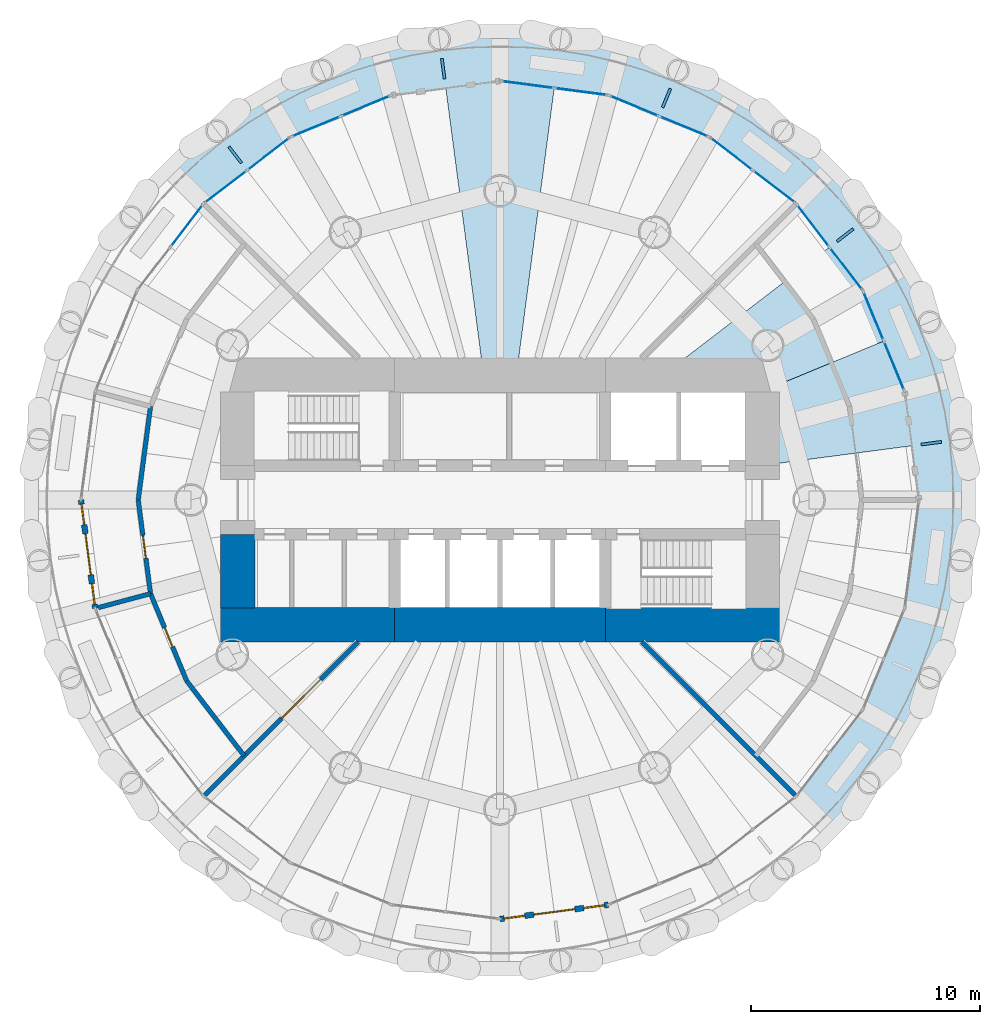
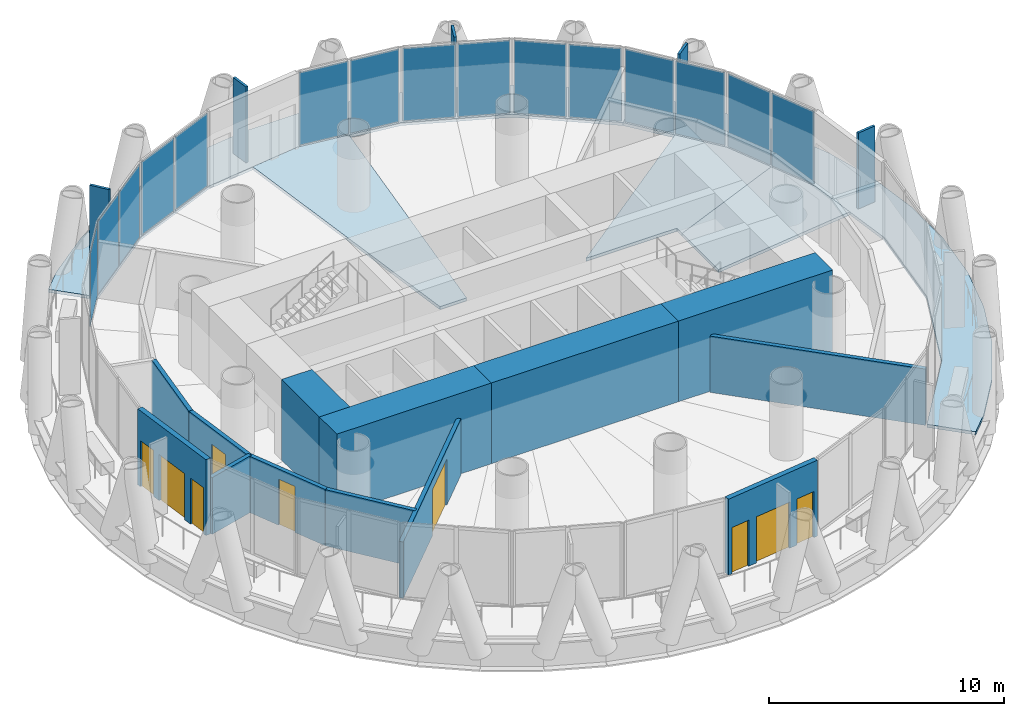
# One storey, part 8 of 13: 20 plates, 13 walls, 5 doors, 5 slabs, 4 windows, 9 openings, 8 elements without a shape of their own.
"""IFC4 building model written with IfcOpenShell, lengths in metres."""

from ifc_helpers import new_model, si_unit, direction, frame, frame_2d, origin, origin_2d, place, context, subcontext, project, spatial, polyline, rectangle, outline, extrude, material, layer, layer_set, type_object, element, fill, aggregate, save


model = new_model("IFC4")

# Units and contexts
model_context = context("Model", 3, precision=1e-05, world=origin(), true_north=direction((0.0, 1.0)))
body_context = subcontext(model_context, "Body", "Model", "MODEL_VIEW")
ifc_project = project(units=[si_unit("LENGTHUNIT", "METRE"), si_unit("AREAUNIT", "SQUARE_METRE"), si_unit("VOLUMEUNIT", "CUBIC_METRE"), si_unit("PLANEANGLEUNIT", "RADIAN"), si_unit("MASSUNIT", "GRAM", prefix="KILO")], contexts=[model_context])

# Site, building, storey
site_placement = place(None, origin())
site = spatial("IfcSite", under=ifc_project, at=site_placement, CompositionType="ELEMENT")
building_placement = place(site_placement, origin())
building = spatial("IfcBuilding", under=site, at=building_placement, Name="Qaws Media Tower", CompositionType="ELEMENT")
storey_placement = place(building_placement, frame((0.0, 0.0, 282.199951171875)))
storey = spatial("IfcBuildingStorey", under=building, at=storey_placement, Name="L65", CompositionType="ELEMENT", Elevation=282.199951171875)

# Slabs
ifc_material_1 = material(Name="Concrete C35/45", Category="concrete")
ifc_layer_1 = layer(ifc_material_1, 0.159912109375)
ifc_layer_set_1 = layer_set([ifc_layer_1], Name="Composite balcony slab 160")
slab_type_1 = type_object("IfcSlabType", Name="Composite balcony slab 160", PredefinedType="FLOOR", material=ifc_layer_set_1)
slab_1_placement = place(storey_placement, frame((0.0, 0.0, -0.159912109375)))
element("IfcSlab", 1, at=slab_1_placement, inside=storey, type_object=slab_type_1, Name="S2 balcony slab L65 R04 to R10, movement joints on R04 and R10", PredefinedType="FLOOR", context=body_context, shape_type="SweptSolid", body=[
    extrude(outline(polyline([(46.4833984375, 65.41259765625), (48.61083984375, 67.045166015625), (50.93310546875, 68.385986328125), (53.410400390625, 69.412109375), (56.00048828125, 70.106201171875), (58.6591796875, 70.4560546875), (61.3408203125, 70.4560546875), (63.99951171875, 70.106201171875), (66.589599609375, 69.412109375), (69.06689453125, 68.385986328125), (71.38916015625, 67.045166015625), (73.5166015625, 65.41259765625), (74.464599609375, 64.464599609375), (72.940185546875, 62.940185546875), (69.14990234375, 65.848388671875), (64.736328125, 67.676513671875), (60.0, 68.300048828125), (55.263671875, 67.676513671875), (50.85009765625, 65.848388671875), (47.059814453125, 62.940185546875), (45.535400390625, 64.464599609375), (46.4833984375, 65.41259765625)])), origin(), (0.0, 0.0, 1.0), 0.159912109375),
])
slab_2_placement = place(storey_placement, frame((0.0, 0.0, -0.159912109375)))
element("IfcSlab", 2, at=slab_2_placement, inside=storey, type_object=slab_type_1, Name="S2 balcony slab L65 R22 to R04, movement joints on R22 and R04", PredefinedType="FLOOR", context=body_context, shape_type="SweptSolid", body=[
    extrude(outline(polyline([(80.106201171875, 46.00048828125), (79.412109375, 43.410400390625), (78.385986328125, 40.93310546875), (77.045166015625, 38.61083984375), (75.41259765625, 36.4833984375), (74.464599609375, 35.535400390625), (72.940185546875, 37.059814453125), (75.848388671875, 40.85009765625), (77.676513671875, 45.263671875), (78.300048828125, 50.0), (77.676513671875, 54.736328125), (75.848388671875, 59.14990234375), (72.940185546875, 62.940185546875), (74.464599609375, 64.464599609375), (75.41259765625, 63.5166015625), (77.045166015625, 61.38916015625), (78.385986328125, 59.06689453125), (79.412109375, 56.589599609375), (80.106201171875, 53.99951171875), (80.4560546875, 51.3408203125), (80.4560546875, 48.6591796875), (80.106201171875, 46.00048828125)])), origin(), (0.0, 0.0, 1.0), 0.159912109375),
])
ifc_material_2 = material(Name="Concrete C35/45", Category="concrete")
ifc_layer_2 = layer(ifc_material_2, 0.159912109375)
ifc_layer_set_2 = layer_set([ifc_layer_2], Name="Composite floor slab 160")
slab_type_2 = type_object("IfcSlabType", Name="Composite floor slab 160", PredefinedType="FLOOR", material=ifc_layer_set_2)
slab_3_placement = place(storey_placement, frame((0.0, 0.0, -0.159912109375)))
element("IfcSlab", 3, at=slab_3_placement, inside=storey, type_object=slab_type_2, Name="S1 floor panel L65 on R02", PredefinedType="FLOOR", context=body_context, shape_type="SweptSolid", body=[
    extrude(outline(polyline([(77.676513671875, 54.736328125), (77.98828125, 52.3681640625), (71.0, 51.4482421875), (71.0, 54.556396484375), (76.762451171875, 56.943115234375), (77.676513671875, 54.736328125)])), origin(), (0.0, 0.0, 1.0), 0.159912109375),
])
slab_4_placement = place(storey_placement, frame((0.0, 0.0, -0.159912109375)))
element("IfcSlab", 4, at=slab_4_placement, inside=storey, type_object=slab_type_2, Name="S1 floor panel L65 on R03", PredefinedType="FLOOR", context=body_context, shape_type="SweptSolid", body=[
    extrude(outline(polyline([(75.848388671875, 59.14990234375), (76.762451171875, 56.943115234375), (71.0, 54.556396484375), (71.0, 55.0), (66.51611328125, 55.0), (74.394287109375, 61.044921875), (75.848388671875, 59.14990234375)])), origin(), (0.0, 0.0, 1.0), 0.159912109375),
])
slab_5_placement = place(storey_placement, frame((0.0, 0.0, -0.159912109375)))
element("IfcSlab", 5, at=slab_5_placement, inside=storey, type_object=slab_type_2, Name="S1 floor panel L65 on R07", PredefinedType="FLOOR", context=body_context, shape_type="SweptSolid", body=[
    extrude(outline(polyline([(60.0, 68.300048828125), (62.3681640625, 67.98828125), (60.658203125, 55.0), (59.341796875, 55.0), (57.6318359375, 67.98828125), (60.0, 68.300048828125)])), origin(), (0.0, 0.0, 1.0), 0.159912109375),
])

# Curtain wall, plates
ifc_material_3 = material(Name="Aluminium and clear glass", Category="aluminium")
curtain_wall_type = type_object("IfcCurtainWallType", Name="Unitised curtain wall CW-D", PredefinedType="NOTDEFINED", material=ifc_material_3)
curtain_wall_1_placement = place(storey_placement, origin())
curtain_wall_1 = element("IfcCurtainWall", 6, at=curtain_wall_1_placement, inside=storey, type_object=curtain_wall_type, Name="CWD curtain wall L65-02", PredefinedType="NOTDEFINED")
ifc_material_4 = material(Name="Clear laminated double glazing", Category="glass")
ifc_layer_3 = layer(ifc_material_4, 0.031982421875)
ifc_layer_set_3 = layer_set([ifc_layer_3], Name="Curtain wall glass unit 32")
plate_type_1 = type_object("IfcPlateType", Name="Curtain wall glass unit 32", PredefinedType="CURTAIN_PANEL", material=ifc_layer_set_3)
plate_1_placement = place(storey_placement, frame((77.211669921875, 55.858154296875, 0.080078125), z_axis=(0.0, 0.0, 1.0), x_axis=(-0.382683515407, 0.923879498114, 0.0)))
plate_1 = element("IfcPlate", 7, at=plate_1_placement, type_object=plate_type_1, Name="CWD panel 1.1", PredefinedType="CURTAIN_PANEL", context=body_context, shape_type="SweptSolid", body=[
    extrude(rectangle(XDim=2.2685546875, YDim=0.031982421875, at=origin_2d()), origin(), (0.0, 0.0, 1.0), 3.7900390625),
])
plate_2_placement = place(storey_placement, frame((76.31298828125, 58.028076171875, 0.080078125), z_axis=(0.0, 0.0, 1.0), x_axis=(-0.382683515407, 0.923879498114, 0.0)))
plate_2 = element("IfcPlate", 8, at=plate_2_placement, type_object=plate_type_1, Name="CWD panel 2.1", PredefinedType="CURTAIN_PANEL", context=body_context, shape_type="SweptSolid", body=[
    extrude(rectangle(XDim=2.2685546875, YDim=0.031982421875, at=origin_2d()), origin(), (0.0, 0.0, 1.0), 3.7900390625),
])
aggregate(curtain_wall_1, [plate_1, plate_2])

curtain_wall_2_placement = place(storey_placement, origin())
curtain_wall_2 = element("IfcCurtainWall", 9, at=curtain_wall_2_placement, inside=storey, type_object=curtain_wall_type, Name="CWD curtain wall L65-03", PredefinedType="NOTDEFINED")
plate_3_placement = place(storey_placement, frame((75.109130859375, 60.11328125, 0.080078125), z_axis=(0.0, 0.0, 1.0), x_axis=(-0.608761465882, 0.793353311997, 0.0)))
plate_3 = element("IfcPlate", 10, at=plate_3_placement, type_object=plate_type_1, Name="CWD panel 1.1", PredefinedType="CURTAIN_PANEL", context=body_context, shape_type="SweptSolid", body=[
    extrude(rectangle(XDim=2.2685546875, YDim=0.031982421875, at=origin_2d()), origin(), (0.0, 0.0, 1.0), 3.7900390625),
])
plate_4_placement = place(storey_placement, frame((73.67919921875, 61.9765625, 0.080078125), z_axis=(0.0, 0.0, 1.0), x_axis=(-0.608761465882, 0.793353311997, 0.0)))
plate_4 = element("IfcPlate", 11, at=plate_4_placement, type_object=plate_type_1, Name="CWD panel 2.1", PredefinedType="CURTAIN_PANEL", context=body_context, shape_type="SweptSolid", body=[
    extrude(rectangle(XDim=2.2685546875, YDim=0.031982421875, at=origin_2d()), origin(), (0.0, 0.0, 1.0), 3.7900390625),
])
aggregate(curtain_wall_2, [plate_3, plate_4])

curtain_wall_3_placement = place(storey_placement, origin())
curtain_wall_3 = element("IfcCurtainWall", 12, at=curtain_wall_3_placement, inside=storey, type_object=curtain_wall_type, Name="CWD curtain wall L65-04", PredefinedType="NOTDEFINED")
plate_5_placement = place(storey_placement, frame((71.9765625, 63.67919921875, 0.080078125), z_axis=(0.0, 0.0, 1.0), x_axis=(-0.793353311997, 0.608761465882, 0.0)))
plate_5 = element("IfcPlate", 13, at=plate_5_placement, type_object=plate_type_1, Name="CWD panel 1.1", PredefinedType="CURTAIN_PANEL", context=body_context, shape_type="SweptSolid", body=[
    extrude(rectangle(XDim=2.2685546875, YDim=0.031982421875, at=origin_2d()), origin(), (0.0, 0.0, 1.0), 3.7900390625),
])
plate_6_placement = place(storey_placement, frame((70.11328125, 65.109130859375, 0.080078125), z_axis=(0.0, 0.0, 1.0), x_axis=(-0.793353311997, 0.608761465882, 0.0)))
plate_6 = element("IfcPlate", 14, at=plate_6_placement, type_object=plate_type_1, Name="CWD panel 2.1", PredefinedType="CURTAIN_PANEL", context=body_context, shape_type="SweptSolid", body=[
    extrude(rectangle(XDim=2.2685546875, YDim=0.031982421875, at=origin_2d()), origin(), (0.0, 0.0, 1.0), 3.7900390625),
])
aggregate(curtain_wall_3, [plate_5, plate_6])

curtain_wall_4_placement = place(storey_placement, origin())
curtain_wall_4 = element("IfcCurtainWall", 15, at=curtain_wall_4_placement, inside=storey, type_object=curtain_wall_type, Name="CWD curtain wall L65-05", PredefinedType="NOTDEFINED")
plate_7_placement = place(storey_placement, frame((68.028076171875, 66.31298828125, 0.080078125), z_axis=(0.0, 0.0, 1.0), x_axis=(-0.923879498114, 0.382683515407, 0.0)))
plate_7 = element("IfcPlate", 16, at=plate_7_placement, type_object=plate_type_1, Name="CWD panel 1.1", PredefinedType="CURTAIN_PANEL", context=body_context, shape_type="SweptSolid", body=[
    extrude(rectangle(XDim=2.2685546875, YDim=0.031982421875, at=origin_2d()), origin(), (0.0, 0.0, 1.0), 3.7900390625),
])
plate_8_placement = place(storey_placement, frame((65.858154296875, 67.211669921875, 0.080078125), z_axis=(0.0, 0.0, 1.0), x_axis=(-0.923879498114, 0.382683515407, 0.0)))
plate_8 = element("IfcPlate", 17, at=plate_8_placement, type_object=plate_type_1, Name="CWD panel 2.1", PredefinedType="CURTAIN_PANEL", context=body_context, shape_type="SweptSolid", body=[
    extrude(rectangle(XDim=2.2685546875, YDim=0.031982421875, at=origin_2d()), origin(), (0.0, 0.0, 1.0), 3.7900390625),
])
aggregate(curtain_wall_4, [plate_7, plate_8])

curtain_wall_5_placement = place(storey_placement, origin())
curtain_wall_5 = element("IfcCurtainWall", 18, at=curtain_wall_5_placement, inside=storey, type_object=curtain_wall_type, Name="CWD curtain wall L65-06", PredefinedType="NOTDEFINED")
plate_9_placement = place(storey_placement, frame((63.532470703125, 67.8349609375, 0.080078125), z_axis=(0.0, 0.0, 1.0), x_axis=(-0.991444873332, 0.130526101391, 0.0)))
plate_9 = element("IfcPlate", 19, at=plate_9_placement, type_object=plate_type_1, Name="CWD panel 1.1", PredefinedType="CURTAIN_PANEL", context=body_context, shape_type="SweptSolid", body=[
    extrude(rectangle(XDim=2.2685546875, YDim=0.031982421875, at=origin_2d()), origin(), (0.0, 0.0, 1.0), 3.7900390625),
])
plate_10_placement = place(storey_placement, frame((61.203857421875, 68.1416015625, 0.080078125), z_axis=(0.0, 0.0, 1.0), x_axis=(-0.991444873332, 0.130526101391, 0.0)))
plate_10 = element("IfcPlate", 20, at=plate_10_placement, type_object=plate_type_1, Name="CWD panel 2.1", PredefinedType="CURTAIN_PANEL", context=body_context, shape_type="SweptSolid", body=[
    extrude(rectangle(XDim=2.2685546875, YDim=0.031982421875, at=origin_2d()), origin(), (0.0, 0.0, 1.0), 3.7900390625),
])
aggregate(curtain_wall_5, [plate_9, plate_10])

curtain_wall_6_placement = place(storey_placement, origin())
curtain_wall_6 = element("IfcCurtainWall", 21, at=curtain_wall_6_placement, inside=storey, type_object=curtain_wall_type, Name="CWD curtain wall L65-08", PredefinedType="NOTDEFINED")
plate_11_placement = place(storey_placement, frame((54.141845703125, 67.211669921875, 0.080078125), z_axis=(0.0, 0.0, 1.0), x_axis=(-0.923879498114, -0.382683515407, 0.0)))
plate_11 = element("IfcPlate", 22, at=plate_11_placement, type_object=plate_type_1, Name="CWD panel 1.1", PredefinedType="CURTAIN_PANEL", context=body_context, shape_type="SweptSolid", body=[
    extrude(rectangle(XDim=2.2685546875, YDim=0.031982421875, at=origin_2d()), origin(), (0.0, 0.0, 1.0), 3.7900390625),
])
plate_12_placement = place(storey_placement, frame((51.971923828125, 66.31298828125, 0.080078125), z_axis=(0.0, 0.0, 1.0), x_axis=(-0.923879498114, -0.382683515407, 0.0)))
plate_12 = element("IfcPlate", 23, at=plate_12_placement, type_object=plate_type_1, Name="CWD panel 2.1", PredefinedType="CURTAIN_PANEL", context=body_context, shape_type="SweptSolid", body=[
    extrude(rectangle(XDim=2.2685546875, YDim=0.031982421875, at=origin_2d()), origin(), (0.0, 0.0, 1.0), 3.7900390625),
])
aggregate(curtain_wall_6, [plate_11, plate_12])

curtain_wall_7_placement = place(storey_placement, origin())
curtain_wall_7 = element("IfcCurtainWall", 24, at=curtain_wall_7_placement, inside=storey, type_object=curtain_wall_type, Name="CWD curtain wall L65-09", PredefinedType="NOTDEFINED")
plate_13_placement = place(storey_placement, frame((49.88671875, 65.109130859375, 0.080078125), z_axis=(0.0, 0.0, 1.0), x_axis=(-0.793353311997, -0.608761465882, 0.0)))
plate_13 = element("IfcPlate", 25, at=plate_13_placement, type_object=plate_type_1, Name="CWD panel 1.1", PredefinedType="CURTAIN_PANEL", context=body_context, shape_type="SweptSolid", body=[
    extrude(rectangle(XDim=2.2685546875, YDim=0.031982421875, at=origin_2d()), origin(), (0.0, 0.0, 1.0), 3.7900390625),
])
plate_14_placement = place(storey_placement, frame((48.0234375, 63.67919921875, 0.080078125), z_axis=(0.0, 0.0, 1.0), x_axis=(-0.793353311997, -0.608761465882, 0.0)))
plate_14 = element("IfcPlate", 26, at=plate_14_placement, type_object=plate_type_1, Name="CWD panel 2.1", PredefinedType="CURTAIN_PANEL", context=body_context, shape_type="SweptSolid", body=[
    extrude(rectangle(XDim=2.2685546875, YDim=0.031982421875, at=origin_2d()), origin(), (0.0, 0.0, 1.0), 3.7900390625),
])
aggregate(curtain_wall_7, [plate_13, plate_14])

# Curtain wall, plate
curtain_wall_8_placement = place(storey_placement, origin())
curtain_wall_8 = element("IfcCurtainWall", 27, at=curtain_wall_8_placement, inside=storey, type_object=curtain_wall_type, Name="CWD curtain wall L65-10", PredefinedType="NOTDEFINED")
plate_15_placement = place(storey_placement, frame((46.32080078125, 61.9765625, 0.080078125), z_axis=(0.0, 0.0, 1.0), x_axis=(-0.608761465882, -0.793353311997, 0.0)))
plate_15 = element("IfcPlate", 28, at=plate_15_placement, type_object=plate_type_1, Name="CWD panel 1.1", PredefinedType="CURTAIN_PANEL", context=body_context, shape_type="SweptSolid", body=[
    extrude(rectangle(XDim=2.2685546875, YDim=0.031982421875, at=origin_2d()), origin(), (0.0, 0.0, 1.0), 3.7900390625),
])
aggregate(curtain_wall_8, [plate_15])

# Plates
ifc_material_5 = material(Name="Precast concrete screen fin", Category="concrete")
ifc_layer_4 = layer(ifc_material_5, 0.1201171875)
ifc_layer_set_4 = layer_set([ifc_layer_4], Name="Screen fin 120x900")
plate_type_2 = type_object("IfcPlateType", Name="Screen fin 120x900", PredefinedType="USERDEFINED", material=ifc_layer_set_4)
for number, where, z_axis, x_axis, name in (
    (29, (78.83740234375, 52.47998046875, 0.0), (0.0, 0.0, 1.0), (0.991444861374, 0.13052619222, 0.0), "SCR1 screen fin L65-01"),
    (30, (75.07373046875, 61.56640625, 0.0), (0.0, 0.0, 1.0), (0.793353340291, 0.608761429009, 0.0), "SCR1 screen fin L65-02"),
    (31, (67.27099609375, 67.5537109375, 0.0), (0.0, 0.0, 1.0), (0.382683432365, 0.923879532511, 0.0), "SCR1 screen fin L65-03"),
    (32, (57.52001953125, 68.83740234375, 0.0), (0.0, 0.0, 1.0), (-0.13052619222, 0.991444861374, 0.0), "SCR1 screen fin L65-04"),
    (33, (48.43359375, 65.07373046875, 0.0), (0.0, 0.0, 1.0), (-0.608761429009, 0.793353340291, 0.0), "SCR1 screen fin L65-05"),
):
    element("IfcPlate", number, at=place(storey_placement, frame(where, z_axis=z_axis, x_axis=x_axis)), inside=storey, type_object=plate_type_2, Name=name, ObjectType="SCREEN", PredefinedType="USERDEFINED", context=body_context, shape_type="SweptSolid", body=[
        extrude(rectangle(XDim=0.89990234375, YDim=0.1201171875, at=origin_2d()), origin(), (0.0, 0.0, 1.0), 3.949951171875),
    ])

# Wall, openings, door, windows
ifc_material_6 = material(Name="Precast concrete, exposed finish", Category="concrete")
ifc_layer_5 = layer(ifc_material_6, 0.25)
ifc_layer_set_5 = layer_set([ifc_layer_5], Name="Balcony door wall 250")
wall_type_1 = type_object("IfcWallType", Name="Balcony door wall 250", PredefinedType="SOLIDWALL", material=ifc_layer_set_5)
wall_1_placement = place(storey_placement, frame((41.699951171875, 50.0, 0.0), z_axis=(0.0, 0.0, 1.0), x_axis=(0.130523255839, -0.991445247951, 0.0)))
wall_1 = element("IfcWall", 34, at=wall_1_placement, inside=storey, type_object=wall_type_1, Name="W296 EW1 balcony door wall L65-13", PredefinedType="SOLIDWALL", context=body_context, shape_type="SweptSolid", body=[
    extrude(rectangle(XDim=4.777099609375, YDim=0.25, at=frame_2d((2.388671875, 0.0))), origin(), (0.0, 0.0, 1.0), 3.949951171875),
])
opening_1_placement = place(wall_1_placement, frame((1.488525390625, 0.0, 0.0)))
opening_1 = element("IfcOpeningElement", 35, at=opening_1_placement, cuts=wall_1, Name="Opening D7", PredefinedType="OPENING", context=body_context, shape_type="SweptSolid", body=[
    extrude(rectangle(XDim=1.800048828125, YDim=2.39990234375, at=frame_2d((0.89990234375, 1.199951171875))), frame((0.0, 0.135009765625, 0.0), z_axis=(0.0, -1.0, 0.0), x_axis=(1.0, 0.0, 0.0)), (0.0, 0.0, 1.0), 0.27001953125),
])
opening_2_placement = place(wall_1_placement, frame((0.188720703125, 0.0, 0.0)))
opening_2 = element("IfcOpeningElement", 36, at=opening_2_placement, cuts=wall_1, Name="Opening W7", PredefinedType="OPENING", context=body_context, shape_type="SweptSolid", body=[
    extrude(rectangle(XDim=0.89990234375, YDim=2.39990234375, at=frame_2d((0.449951171875, 1.199951171875))), frame((0.0, 0.135009765625, 0.0), z_axis=(0.0, -1.0, 0.0), x_axis=(1.0, 0.0, 0.0)), (0.0, 0.0, 1.0), 0.27001953125),
])
opening_3_placement = place(wall_1_placement, frame((3.688720703125, 0.0, 0.0)))
opening_3 = element("IfcOpeningElement", 37, at=opening_3_placement, cuts=wall_1, Name="Opening W7", PredefinedType="OPENING", context=body_context, shape_type="SweptSolid", body=[
    extrude(rectangle(XDim=0.89990234375, YDim=2.39990234375, at=frame_2d((0.449951171875, 1.199951171875))), frame((0.0, 0.135009765625, 0.0), z_axis=(0.0, -1.0, 0.0), x_axis=(1.0, 0.0, 0.0)), (0.0, 0.0, 1.0), 0.27001953125),
])
ifc_material_7 = material(Name="Aluminium and clear glass", Category="aluminium")
door_type_1 = type_object("IfcDoorType", Name="Balcony door pair 1800", OperationType="DOUBLE_DOOR_SLIDING", PredefinedType="DOOR", material=ifc_material_7)
door_1_placement = place(opening_1_placement, origin())
door_1 = element("IfcDoor", 38, at=door_1_placement, inside=storey, type_object=door_type_1, Name="D7 balcony door L65-13 in wall W296", OperationType="DOUBLE_DOOR_SLIDING", OverallHeight=2.39990234375, OverallWidth=1.800048828125, PredefinedType="DOOR", context=body_context, shape_type="SweptSolid", body=[
    extrude(rectangle(XDim=1.800048828125, YDim=2.39990234375, at=frame_2d((0.89990234375, 1.199951171875))), frame((0.0, 0.02490234375, 0.0), z_axis=(0.0, -1.0, 0.0), x_axis=(1.0, 0.0, 0.0)), (0.0, 0.0, 1.0), 0.050048828125),
])
fill(opening_1, door_1)
ifc_material_8 = material(Name="Aluminium and clear glass", Category="aluminium")
window_type = type_object("IfcWindowType", Name="Balcony side window 900", PartitioningType="SINGLE_PANEL", PredefinedType="WINDOW", material=ifc_material_8)
window_1_placement = place(opening_2_placement, origin())
window_1 = element("IfcWindow", 39, at=window_1_placement, inside=storey, type_object=window_type, Name="W1 balcony side light L65-13L", OverallHeight=2.39990234375, OverallWidth=0.89990234375, PartitioningType="SINGLE_PANEL", PredefinedType="WINDOW", context=body_context, shape_type="SweptSolid", body=[
    extrude(rectangle(XDim=0.89990234375, YDim=2.39990234375, at=frame_2d((0.449951171875, 1.199951171875))), frame((0.0, 0.030029296875, 0.0), z_axis=(0.0, -1.0, 0.0), x_axis=(1.0, 0.0, 0.0)), (0.0, 0.0, 1.0), 0.06005859375),
])
fill(opening_2, window_1)
window_2_placement = place(opening_3_placement, origin())
window_2 = element("IfcWindow", 40, at=window_2_placement, inside=storey, type_object=window_type, Name="W1 balcony side light L65-13R", OverallHeight=2.39990234375, OverallWidth=0.89990234375, PartitioningType="SINGLE_PANEL", PredefinedType="WINDOW", context=body_context, shape_type="SweptSolid", body=[
    extrude(rectangle(XDim=0.89990234375, YDim=2.39990234375, at=frame_2d((0.449951171875, 1.199951171875))), frame((0.0, 0.030029296875, 0.0), z_axis=(0.0, -1.0, 0.0), x_axis=(1.0, 0.0, 0.0)), (0.0, 0.0, 1.0), 0.06005859375),
])
fill(opening_3, window_2)

wall_2_placement = place(storey_placement, frame((60.0, 31.699951171875, 0.0), z_axis=(0.0, 0.0, 1.0), x_axis=(0.991445247951, 0.130523255839, 0.0)))
wall_2 = element("IfcWall", 41, at=wall_2_placement, inside=storey, type_object=wall_type_1, Name="W297 EW1 balcony door wall L65-19", PredefinedType="SOLIDWALL", context=body_context, shape_type="SweptSolid", body=[
    extrude(rectangle(XDim=4.777099609375, YDim=0.25, at=frame_2d((2.388671875, 0.0))), origin(), (0.0, 0.0, 1.0), 3.949951171875),
])
opening_4_placement = place(wall_2_placement, frame((1.488525390625, 0.0, 0.0)))
opening_4 = element("IfcOpeningElement", 42, at=opening_4_placement, cuts=wall_2, Name="Opening D7", PredefinedType="OPENING", context=body_context, shape_type="SweptSolid", body=[
    extrude(rectangle(XDim=1.800048828125, YDim=2.39990234375, at=frame_2d((0.89990234375, 1.199951171875))), frame((0.0, 0.135009765625, 0.0), z_axis=(0.0, -1.0, 0.0), x_axis=(1.0, 0.0, 0.0)), (0.0, 0.0, 1.0), 0.27001953125),
])
opening_5_placement = place(wall_2_placement, frame((0.188720703125, 0.0, 0.0)))
opening_5 = element("IfcOpeningElement", 43, at=opening_5_placement, cuts=wall_2, Name="Opening W7", PredefinedType="OPENING", context=body_context, shape_type="SweptSolid", body=[
    extrude(rectangle(XDim=0.89990234375, YDim=2.39990234375, at=frame_2d((0.449951171875, 1.199951171875))), frame((0.0, 0.135009765625, 0.0), z_axis=(0.0, -1.0, 0.0), x_axis=(1.0, 0.0, 0.0)), (0.0, 0.0, 1.0), 0.27001953125),
])
opening_6_placement = place(wall_2_placement, frame((3.688720703125, 0.0, 0.0)))
opening_6 = element("IfcOpeningElement", 44, at=opening_6_placement, cuts=wall_2, Name="Opening W7", PredefinedType="OPENING", context=body_context, shape_type="SweptSolid", body=[
    extrude(rectangle(XDim=0.89990234375, YDim=2.39990234375, at=frame_2d((0.449951171875, 1.199951171875))), frame((0.0, 0.135009765625, 0.0), z_axis=(0.0, -1.0, 0.0), x_axis=(1.0, 0.0, 0.0)), (0.0, 0.0, 1.0), 0.27001953125),
])
door_2_placement = place(opening_4_placement, origin())
door_2 = element("IfcDoor", 45, at=door_2_placement, inside=storey, type_object=door_type_1, Name="D7 balcony door L65-19 in wall W297", OperationType="DOUBLE_DOOR_SLIDING", OverallHeight=2.39990234375, OverallWidth=1.800048828125, PredefinedType="DOOR", context=body_context, shape_type="SweptSolid", body=[
    extrude(rectangle(XDim=1.800048828125, YDim=2.39990234375, at=frame_2d((0.89990234375, 1.199951171875))), frame((0.0, 0.02490234375, 0.0), z_axis=(0.0, -1.0, 0.0), x_axis=(1.0, 0.0, 0.0)), (0.0, 0.0, 1.0), 0.050048828125),
])
fill(opening_4, door_2)
window_3_placement = place(opening_5_placement, origin())
window_3 = element("IfcWindow", 46, at=window_3_placement, inside=storey, type_object=window_type, Name="W1 balcony side light L65-19L", OverallHeight=2.39990234375, OverallWidth=0.89990234375, PartitioningType="SINGLE_PANEL", PredefinedType="WINDOW", context=body_context, shape_type="SweptSolid", body=[
    extrude(rectangle(XDim=0.89990234375, YDim=2.39990234375, at=frame_2d((0.449951171875, 1.199951171875))), frame((0.0, 0.030029296875, 0.0), z_axis=(0.0, -1.0, 0.0), x_axis=(1.0, 0.0, 0.0)), (0.0, 0.0, 1.0), 0.06005859375),
])
fill(opening_5, window_3)
window_4_placement = place(opening_6_placement, origin())
window_4 = element("IfcWindow", 47, at=window_4_placement, inside=storey, type_object=window_type, Name="W1 balcony side light L65-19R", OverallHeight=2.39990234375, OverallWidth=0.89990234375, PartitioningType="SINGLE_PANEL", PredefinedType="WINDOW", context=body_context, shape_type="SweptSolid", body=[
    extrude(rectangle(XDim=0.89990234375, YDim=2.39990234375, at=frame_2d((0.449951171875, 1.199951171875))), frame((0.0, 0.030029296875, 0.0), z_axis=(0.0, -1.0, 0.0), x_axis=(1.0, 0.0, 0.0)), (0.0, 0.0, 1.0), 0.06005859375),
])
fill(opening_6, window_4)

# Walls
ifc_material_9 = material(Name="Concrete C60/75", Category="concrete")
ifc_layer_6 = layer(ifc_material_9, 1.5)
ifc_layer_set_6 = layer_set([ifc_layer_6], Name="Core wall 1500")
wall_type_2 = type_object("IfcWallType", Name="Core wall 1500", PredefinedType="SHEAR", material=ifc_layer_set_6)
wall_3_placement = place(storey_placement, frame((47.800048828125, 44.550048828125, 0.0), z_axis=(0.0, 0.0, 1.0), x_axis=(1.0, 0.0, 0.0)))
element("IfcWall", 48, at=wall_3_placement, inside=storey, type_object=wall_type_2, Name="W376 SW13 core wall SW L65", PredefinedType="SHEAR", context=body_context, shape_type="SweptSolid", body=[
    extrude(rectangle(XDim=7.599853515625, YDim=1.5, at=frame_2d((3.7998046875, 0.0))), origin(), (0.0, 0.0, 1.0), 4.199951171875),
])
wall_4_placement = place(storey_placement, frame((55.39990234375, 44.550048828125, 0.0), z_axis=(0.0, 0.0, 1.0), x_axis=(1.0, 0.0, 0.0)))
element("IfcWall", 49, at=wall_4_placement, inside=storey, type_object=wall_type_2, Name="W372 SW13 core wall S L65", PredefinedType="SHEAR", context=body_context, shape_type="SweptSolid", body=[
    extrude(rectangle(XDim=9.2001953125, YDim=1.5, at=frame_2d((4.60009765625, 0.0))), origin(), (0.0, 0.0, 1.0), 4.199951171875),
])
wall_5_placement = place(storey_placement, frame((64.60009765625, 44.550048828125, 0.0), z_axis=(0.0, 0.0, 1.0), x_axis=(1.0, 0.0, 0.0)))
element("IfcWall", 50, at=wall_5_placement, inside=storey, type_object=wall_type_2, Name="W381 SW13 core wall SE L65", PredefinedType="SHEAR", context=body_context, shape_type="SweptSolid", body=[
    extrude(rectangle(XDim=7.599853515625, YDim=1.5, at=frame_2d((3.7998046875, 0.0))), origin(), (0.0, 0.0, 1.0), 4.199951171875),
])
wall_6_placement = place(storey_placement, frame((48.550048828125, 45.280029296875, 0.0), z_axis=(0.0, 0.0, 1.0), x_axis=(0.0, 1.0, 0.0)))
element("IfcWall", 51, at=wall_6_placement, inside=storey, type_object=wall_type_2, Name="W378 SW13 core wall WS L65", PredefinedType="SHEAR", context=body_context, shape_type="SweptSolid", body=[
    extrude(rectangle(XDim=3.219970703125, YDim=1.5, at=frame_2d((1.60986328125, 0.0))), origin(), (0.0, 0.0, 1.0), 4.199951171875),
])
ifc_material_10 = material(Name="Gypsum board on galvanised metal studs, acoustic double stud, deflection head", Category="gypsum")
ifc_layer_7 = layer(ifc_material_10, 0.199951171875)
ifc_layer_set_7 = layer_set([ifc_layer_7], Name="Room partition 200")
wall_type_3 = type_object("IfcWallType", Name="Room partition 200", PredefinedType="PARTITIONING", material=ifc_layer_set_7)
wall_7_placement = place(storey_placement, frame((48.82763671875, 38.82763671875, 0.0), z_axis=(0.0, 0.0, 1.0), x_axis=(-0.608714823874, 0.793389099494, 0.0)))
element("IfcWall", 52, at=wall_7_placement, inside=storey, type_object=wall_type_3, Name="W1790 IW3 partition L65", PredefinedType="PARTITIONING", context=body_context, shape_type="SweptSolid", body=[
    extrude(rectangle(XDim=4.124755859375, YDim=0.199951171875, at=frame_2d((2.0625, 0.0))), origin(), (0.0, 0.0, 1.0), 2.929931640625),
])

# Wall, opening, door
wall_8_placement = place(storey_placement, frame((46.31689453125, 42.10009765625, 0.0), z_axis=(0.0, 0.0, 1.0), x_axis=(-0.382731667114, 0.923859551549, 0.0)))
wall_8 = element("IfcWall", 53, at=wall_8_placement, inside=storey, type_object=wall_type_3, Name="W1788 IW3 partition L65", PredefinedType="PARTITIONING", context=body_context, shape_type="SweptSolid", body=[
    extrude(rectangle(XDim=4.12451171875, YDim=0.199951171875, at=frame_2d((2.062255859375, 0.0))), origin(), (0.0, 0.0, 1.0), 2.929931640625),
])
opening_7_placement = place(wall_8_placement, frame((1.6123046875, 0.0, 0.0)))
opening_7 = element("IfcOpeningElement", 54, at=opening_7_placement, cuts=wall_8, Name="Opening D12", PredefinedType="OPENING", context=body_context, shape_type="SweptSolid", body=[
    extrude(rectangle(XDim=0.89990234375, YDim=2.39990234375, at=frame_2d((0.449951171875, 1.199951171875))), frame((0.0, 0.10986328125, 0.0), z_axis=(0.0, -1.0, 0.0), x_axis=(1.0, 0.0, 0.0)), (0.0, 0.0, 1.0), 0.219970703125),
])
ifc_material_11 = material(Name="Timber veneered, full height", Category="wood")
door_type_2 = type_object("IfcDoorType", Name="Office door 900x2400", OperationType="SINGLE_SWING_LEFT", PredefinedType="DOOR", material=ifc_material_11)
door_3_placement = place(opening_7_placement, origin())
door_3 = element("IfcDoor", 55, at=door_3_placement, inside=storey, type_object=door_type_2, Name="D12 Guest office door L65 in wall W1788", OperationType="SINGLE_SWING_LEFT", OverallHeight=2.39990234375, OverallWidth=0.89990234375, PredefinedType="DOOR", context=body_context, shape_type="SweptSolid", body=[
    extrude(rectangle(XDim=0.89990234375, YDim=2.39990234375, at=frame_2d((0.449951171875, 1.199951171875))), frame((0.0, 0.02490234375, 0.0), z_axis=(0.0, -1.0, 0.0), x_axis=(1.0, 0.0, 0.0)), (0.0, 0.0, 1.0), 0.050048828125),
])
fill(opening_7, door_3)

wall_9_placement = place(storey_placement, frame((44.73828125, 45.91064453125, 0.0), z_axis=(0.0, 0.0, 1.0), x_axis=(-0.130515758099, 0.991446234996, 0.0)))
wall_9 = element("IfcWall", 56, at=wall_9_placement, inside=storey, type_object=wall_type_3, Name="W1785 IW3 partition L65", PredefinedType="PARTITIONING", context=body_context, shape_type="SweptSolid", body=[
    extrude(rectangle(XDim=4.124755859375, YDim=0.199951171875, at=frame_2d((2.0625, 0.0))), origin(), (0.0, 0.0, 1.0), 2.929931640625),
])
opening_8_placement = place(wall_9_placement, frame((1.562255859375, 0.0, 0.0)))
opening_8 = element("IfcOpeningElement", 57, at=opening_8_placement, cuts=wall_9, Name="Opening D5", PredefinedType="OPENING", context=body_context, shape_type="SweptSolid", body=[
    extrude(rectangle(XDim=1.0, YDim=2.10009765625, at=frame_2d((0.5, 1.050048828125))), frame((0.0, 0.10986328125, 0.0), z_axis=(0.0, -1.0, 0.0), x_axis=(1.0, 0.0, 0.0)), (0.0, 0.0, 1.0), 0.219970703125),
])
ifc_material_12 = material(Name="Timber veneered, acoustic seal", Category="wood")
door_type_3 = type_object("IfcDoorType", Name="Room door 1000", OperationType="SINGLE_SWING_LEFT", PredefinedType="DOOR", material=ifc_material_12)
door_4_placement = place(opening_8_placement, origin())
door_4 = element("IfcDoor", 58, at=door_4_placement, inside=storey, type_object=door_type_3, Name="D5 Servery door L65 in wall W1785", OperationType="SINGLE_SWING_LEFT", OverallHeight=2.10009765625, OverallWidth=1.0, PredefinedType="DOOR", context=body_context, shape_type="SweptSolid", body=[
    extrude(rectangle(XDim=1.0, YDim=2.10009765625, at=frame_2d((0.5, 1.050048828125))), frame((0.0, 0.02490234375, 0.0), z_axis=(0.0, -1.0, 0.0), x_axis=(1.0, 0.0, 0.0)), (0.0, 0.0, 1.0), 0.050048828125),
])
fill(opening_8, door_4)

# Walls
wall_10_placement = place(storey_placement, frame((44.199951171875, 50.0, 0.0), z_axis=(0.0, 0.0, 1.0), x_axis=(0.130515758099, 0.991446234996, 0.0)))
element("IfcWall", 59, at=wall_10_placement, inside=storey, type_object=wall_type_3, Name="W1783 IW3 partition L65", PredefinedType="PARTITIONING", context=body_context, shape_type="SweptSolid", body=[
    extrude(rectangle(XDim=4.124755859375, YDim=0.199951171875, at=frame_2d((2.0625, 0.0))), origin(), (0.0, 0.0, 1.0), 2.929931640625),
])
wall_11_placement = place(storey_placement, frame((44.73828125, 45.91064453125, 0.0), z_axis=(0.0, 0.0, 1.0), x_axis=(-0.965921729761, -0.258834333069, 0.0)))
element("IfcWall", 60, at=wall_11_placement, inside=storey, type_object=wall_type_3, Name="W1784 IW3 partition L65", PredefinedType="PARTITIONING", context=body_context, shape_type="SweptSolid", body=[
    extrude(rectangle(XDim=2.35986328125, YDim=0.199951171875, at=frame_2d((1.179931640625, 0.0))), origin(), (0.0, 0.0, 1.0), 2.949951171875),
])

# Wall, opening, door
wall_12_placement = place(storey_placement, frame((53.800048828125, 43.800048828125, 0.0), z_axis=(0.0, 0.0, 1.0), x_axis=(-0.707106781187, -0.707106781187, 0.0)))
wall_12 = element("IfcWall", 61, at=wall_12_placement, inside=storey, type_object=wall_type_3, Name="W1791 IW3 partition L65", PredefinedType="PARTITIONING", context=body_context, shape_type="SweptSolid", body=[
    extrude(rectangle(XDim=9.4921875, YDim=0.199951171875, at=frame_2d((4.74609375, 0.0))), origin(), (0.0, 0.0, 1.0), 2.929931640625),
])
opening_9_placement = place(wall_12_placement, frame((2.31591796875, 0.0, 0.0)))
opening_9 = element("IfcOpeningElement", 62, at=opening_9_placement, cuts=wall_12, Name="Opening D17", PredefinedType="OPENING", context=body_context, shape_type="SweptSolid", body=[
    extrude(rectangle(XDim=2.39990234375, YDim=2.39990234375, at=frame_2d((1.199951171875, 1.199951171875))), frame((0.0, 0.10986328125, 0.0), z_axis=(0.0, -1.0, 0.0), x_axis=(1.0, 0.0, 0.0)), (0.0, 0.0, 1.0), 0.219970703125),
])
ifc_material_13 = material(Name="Timber veneered, panic hardware", Category="wood")
door_type_4 = type_object("IfcDoorType", Name="Assembly room door pair 2400x2400", OperationType="DOUBLE_DOOR_DOUBLE_SWING", PredefinedType="DOOR", material=ifc_material_13)
door_5_placement = place(opening_9_placement, origin())
door_5 = element("IfcDoor", 63, at=door_5_placement, inside=storey, type_object=door_type_4, Name="D17 Private dining room door L65 in wall W1791", OperationType="DOUBLE_DOOR_DOUBLE_SWING", OverallHeight=2.39990234375, OverallWidth=2.39990234375, PredefinedType="DOOR", context=body_context, shape_type="SweptSolid", body=[
    extrude(rectangle(XDim=2.39990234375, YDim=2.39990234375, at=frame_2d((1.199951171875, 1.199951171875))), frame((0.0, 0.02490234375, 0.0), z_axis=(0.0, -1.0, 0.0), x_axis=(1.0, 0.0, 0.0)), (0.0, 0.0, 1.0), 0.050048828125),
])
fill(opening_9, door_5)

# Wall
wall_13_placement = place(storey_placement, frame((66.199951171875, 43.800048828125, 0.0), z_axis=(0.0, 0.0, 1.0), x_axis=(0.707106781187, -0.707106781187, 0.0)))
element("IfcWall", 64, at=wall_13_placement, inside=storey, type_object=wall_type_3, Name="W1794 IW3 partition L65", PredefinedType="PARTITIONING", context=body_context, shape_type="SweptSolid", body=[
    extrude(rectangle(XDim=9.4921875, YDim=0.199951171875, at=frame_2d((4.74609375, 0.0))), origin(), (0.0, 0.0, 1.0), 2.929931640625),
])

save(model, "model.ifc")
